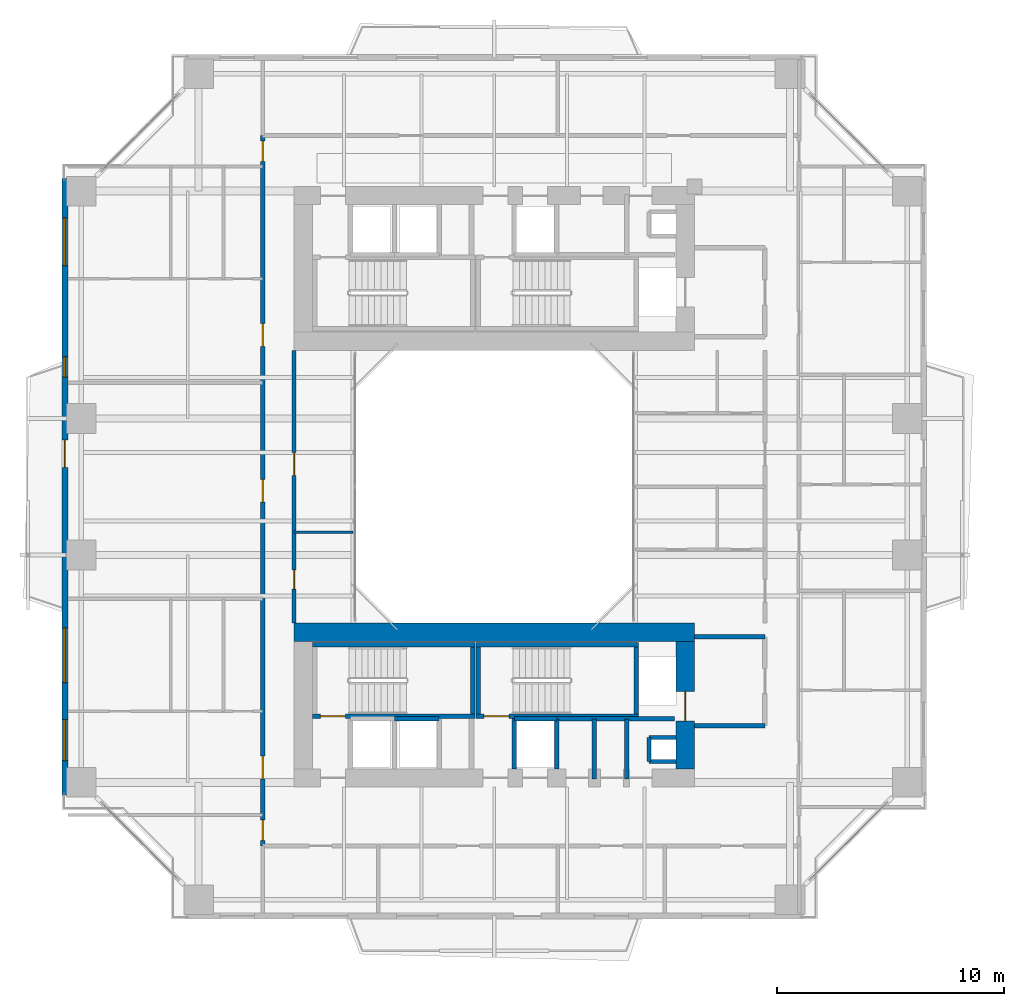
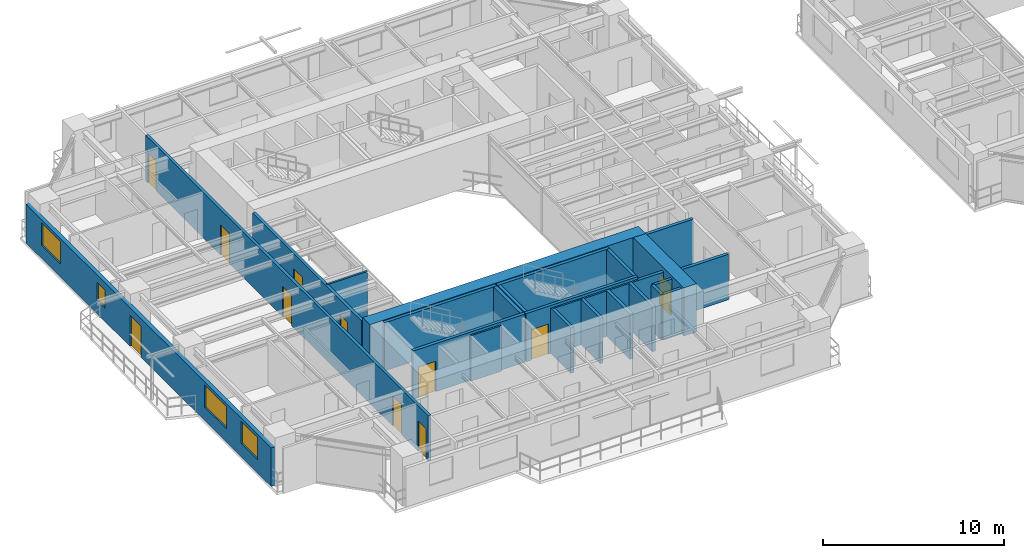
# One storey, part 13 of 24: 25 walls, 11 doors, 4 windows, 15 openings.
"""IFC4 building model written with IfcOpenShell, lengths in metres."""

from ifc_helpers import new_model, si_unit, direction, frame, frame_2d, origin, place, context, subcontext, project, spatial, rectangle, extrude, source, transform, mapped, material, layer, layer_set, type_object, element, fill, save


model = new_model("IFC4")

# Units and contexts
model_context = context("Model", 3, precision=1e-05, world=origin(), true_north=direction((0.0, 1.0)))
body_context = subcontext(model_context, "Body", "Model", "MODEL_VIEW")
ifc_project = project(units=[si_unit("LENGTHUNIT", "METRE"), si_unit("AREAUNIT", "SQUARE_METRE"), si_unit("VOLUMEUNIT", "CUBIC_METRE"), si_unit("PLANEANGLEUNIT", "RADIAN"), si_unit("MASSUNIT", "GRAM", prefix="KILO"), si_unit("THERMODYNAMICTEMPERATUREUNIT", "KELVIN"), si_unit("POWERUNIT", "WATT")], contexts=[model_context])

# Site, building, storey
site_placement = place(None, origin())
site = spatial("IfcSite", under=ifc_project, at=site_placement, CompositionType="ELEMENT")
building_placement = place(site_placement, origin())
building = spatial("IfcBuilding", under=site, at=building_placement, Name="Qiaomeng Ring Towers", CompositionType="ELEMENT")
storey_placement = place(building_placement, frame((0.0, 0.0, 56.75)))
storey = spatial("IfcBuildingStorey", under=building, at=storey_placement, Name="L15", CompositionType="ELEMENT", Elevation=56.75)

# Wall, openings, windows, door
ifc_material_1 = material(Name="Precast concrete C40", Category="concrete")
ifc_layer_1 = layer(ifc_material_1, 0.25, Name="Precast concrete C40")
ifc_layer_set_1 = layer_set([ifc_layer_1], Name="Precast concrete C40")
wall_type_1 = type_object("IfcWallType", Name="ARC-WL-EW1", PredefinedType="STANDARD", material=ifc_layer_set_1)
wall_1_placement = place(storey_placement, frame((0.125, 9.449951171875, 0.0), z_axis=(0.0, 0.0, 1.0), x_axis=(0.0, 1.0, 0.0)))
wall_1 = element("IfcWall", 1, at=wall_1_placement, inside=storey, type_object=wall_type_1, Name="L15 Tower 1 W Exterior Wall", PredefinedType="STANDARD", context=body_context, shape_type="SweptSolid", body=[
    extrude(rectangle(XDim=27.10009765625, YDim=0.25, at=frame_2d((13.550048828125, 0.0))), origin(), (0.0, 0.0, 1.0), 2.610107421875),
])
opening_1_placement = place(wall_1_placement, frame((14.39990234375, 0.0, 0.0)))
opening_1 = element("IfcOpeningElement", 2, at=opening_1_placement, cuts=wall_1, Name="Opening BD1", PredefinedType="OPENING", context=body_context, shape_type="SweptSolid", body=[
    extrude(rectangle(XDim=1.199951171875, YDim=2.10009765625, at=frame_2d((0.60009765625, 1.050048828125))), frame((0.0, 0.135009765625, 0.0), z_axis=(0.0, -1.0, 0.0), x_axis=(1.0, 0.0, 0.0)), (0.0, 0.0, 1.0), 0.27001953125),
])
opening_2_placement = place(wall_1_placement, frame((1.512451171875, 0.0, 0.89990234375)))
opening_2 = element("IfcOpeningElement", 3, at=opening_2_placement, cuts=wall_1, Name="Opening WN1", PredefinedType="OPENING", context=body_context, shape_type="SweptSolid", body=[
    extrude(rectangle(XDim=1.800048828125, YDim=1.5, at=frame_2d((0.89990234375, 0.75))), frame((0.0, 0.135009765625, 0.0), z_axis=(0.0, -1.0, 0.0), x_axis=(1.0, 0.0, 0.0)), (0.0, 0.0, 1.0), 0.27001953125),
])
opening_3_placement = place(wall_1_placement, frame((23.2724609375, 0.0, 0.89990234375)))
opening_3 = element("IfcOpeningElement", 4, at=opening_3_placement, cuts=wall_1, Name="Opening WN4", PredefinedType="OPENING", context=body_context, shape_type="SweptSolid", body=[
    extrude(rectangle(XDim=2.10009765625, YDim=1.5, at=frame_2d((1.050048828125, 0.75))), frame((0.0, 0.135009765625, 0.0), z_axis=(0.0, -1.0, 0.0), x_axis=(1.0, 0.0, 0.0)), (0.0, 0.0, 1.0), 0.27001953125),
])
opening_4_placement = place(wall_1_placement, frame((4.9423828125, 0.0, 0.89990234375)))
opening_4 = element("IfcOpeningElement", 5, at=opening_4_placement, cuts=wall_1, Name="Opening WN6", PredefinedType="OPENING", context=body_context, shape_type="SweptSolid", body=[
    extrude(rectangle(XDim=2.39990234375, YDim=1.5, at=frame_2d((1.199951171875, 0.75))), frame((0.0, 0.135009765625, 0.0), z_axis=(0.0, -1.0, 0.0), x_axis=(1.0, 0.0, 0.0)), (0.0, 0.0, 1.0), 0.27001953125),
])
opening_5_placement = place(wall_1_placement, frame((18.364990234375, 0.0, 0.89990234375)))
opening_5 = element("IfcOpeningElement", 6, at=opening_5_placement, cuts=wall_1, Name="Opening WN5", PredefinedType="OPENING", context=body_context, shape_type="SweptSolid", body=[
    extrude(rectangle(XDim=0.89990234375, YDim=1.199951171875, at=frame_2d((0.449951171875, 0.60009765625))), frame((0.0, 0.135009765625, 0.0), z_axis=(0.0, -1.0, 0.0), x_axis=(1.0, 0.0, 0.0)), (0.0, 0.0, 1.0), 0.27001953125),
])
ifc_material_2 = material(Name="Low-E dark-grey laminated double glazing", Category="glass")
window_type_1 = type_object("IfcWindowType", Name="ARC-WN-4", PartitioningType="TRIPLE_PANEL_VERTICAL", PredefinedType="WINDOW", material=ifc_material_2)
shared_shape_1 = source(origin(), body_context, "Body", "SweptSolid", [
    extrude(rectangle(XDim=2.10009765625, YDim=1.5, at=frame_2d((1.050048828125, 0.75))), frame((0.0, 0.030029296875, 0.0), z_axis=(0.0, -1.0, 0.0), x_axis=(1.0, 0.0, 0.0)), (0.0, 0.0, 1.0), 0.06005859375),
])
window_1_placement = place(opening_3_placement, origin())
window_1 = element("IfcWindow", 7, at=window_1_placement, inside=storey, type_object=window_type_1, Name="L15 Exterior Window WN4", OverallHeight=1.5, OverallWidth=2.10009765625, PartitioningType="TRIPLE_PANEL_VERTICAL", PredefinedType="WINDOW", context=body_context, shape_type="MappedRepresentation", body=[
    mapped(shared_shape_1, transform((0.0, 0.0, 0.0), x_axis=(1.0, 0.0, 0.0), y_axis=(0.0, 1.0, 0.0), z_axis=(0.0, 0.0, 1.0), scale=1.0)),
])
fill(opening_3, window_1)
door_type_1 = type_object("IfcDoorType", Name="ARC-DR-BD1", OperationType="NOTDEFINED", PredefinedType="DOOR", material=ifc_material_2)
shared_shape_2 = source(origin(), body_context, "Body", "SweptSolid", [
    extrude(rectangle(XDim=1.199951171875, YDim=2.10009765625, at=frame_2d((0.60009765625, 1.050048828125))), frame((0.0, 0.02490234375, 0.0), z_axis=(0.0, -1.0, 0.0), x_axis=(1.0, 0.0, 0.0)), (0.0, 0.0, 1.0), 0.050048828125),
])
door_1_placement = place(opening_1_placement, frame((1.199951171875, 0.0, 0.0), z_axis=(0.0, 0.0, 1.0), x_axis=(-1.0, 0.0, 0.0)))
door_1 = element("IfcDoor", 8, at=door_1_placement, inside=storey, type_object=door_type_1, Name="L15 W Balcony Glazed Door", OperationType="SINGLE_SWING_LEFT", OverallHeight=2.10009765625, OverallWidth=1.199951171875, PredefinedType="DOOR", context=body_context, shape_type="MappedRepresentation", body=[
    mapped(shared_shape_2, transform((0.0, 0.0, 0.0), x_axis=(1.0, 0.0, 0.0), y_axis=(0.0, 1.0, 0.0), z_axis=(0.0, 0.0, 1.0), scale=1.0)),
])
fill(opening_1, door_1)
window_type_2 = type_object("IfcWindowType", Name="ARC-WN-6", PartitioningType="TRIPLE_PANEL_VERTICAL", PredefinedType="WINDOW", material=ifc_material_2)
shared_shape_3 = source(origin(), body_context, "Body", "SweptSolid", [
    extrude(rectangle(XDim=2.39990234375, YDim=1.5, at=frame_2d((1.199951171875, 0.75))), frame((0.0, 0.030029296875, 0.0), z_axis=(0.0, -1.0, 0.0), x_axis=(1.0, 0.0, 0.0)), (0.0, 0.0, 1.0), 0.06005859375),
])
window_2_placement = place(opening_4_placement, origin())
window_2 = element("IfcWindow", 9, at=window_2_placement, inside=storey, type_object=window_type_2, Name="L15 Exterior Window WN6", OverallHeight=1.5, OverallWidth=2.39990234375, PartitioningType="TRIPLE_PANEL_VERTICAL", PredefinedType="WINDOW", context=body_context, shape_type="MappedRepresentation", body=[
    mapped(shared_shape_3, transform((0.0, 0.0, 0.0), x_axis=(1.0, 0.0, 0.0), y_axis=(0.0, 1.0, 0.0), z_axis=(0.0, 0.0, 1.0), scale=1.0)),
])
fill(opening_4, window_2)
window_type_3 = type_object("IfcWindowType", Name="ARC-WN-1", PartitioningType="DOUBLE_PANEL_VERTICAL", PredefinedType="WINDOW", material=ifc_material_2)
shared_shape_4 = source(origin(), body_context, "Body", "SweptSolid", [
    extrude(rectangle(XDim=1.800048828125, YDim=1.5, at=frame_2d((0.89990234375, 0.75))), frame((0.0, 0.030029296875, 0.0), z_axis=(0.0, -1.0, 0.0), x_axis=(1.0, 0.0, 0.0)), (0.0, 0.0, 1.0), 0.06005859375),
])
window_3_placement = place(opening_2_placement, origin())
window_3 = element("IfcWindow", 10, at=window_3_placement, inside=storey, type_object=window_type_3, Name="L15 Exterior Window WN6", OverallHeight=1.5, OverallWidth=1.800048828125, PartitioningType="TRIPLE_PANEL_VERTICAL", PredefinedType="WINDOW", context=body_context, shape_type="MappedRepresentation", body=[
    mapped(shared_shape_4, transform((0.0, 0.0, 0.0), x_axis=(1.0, 0.0, 0.0), y_axis=(0.0, 1.0, 0.0), z_axis=(0.0, 0.0, 1.0), scale=1.0)),
])
fill(opening_2, window_3)
window_type_4 = type_object("IfcWindowType", Name="ARC-WN-5", PartitioningType="SINGLE_PANEL", PredefinedType="WINDOW", material=ifc_material_2)
shared_shape_5 = source(origin(), body_context, "Body", "SweptSolid", [
    extrude(rectangle(XDim=0.89990234375, YDim=1.199951171875, at=frame_2d((0.449951171875, 0.60009765625))), frame((0.0, 0.030029296875, 0.0), z_axis=(0.0, -1.0, 0.0), x_axis=(1.0, 0.0, 0.0)), (0.0, 0.0, 1.0), 0.06005859375),
])
window_4_placement = place(opening_5_placement, origin())
window_4 = element("IfcWindow", 11, at=window_4_placement, inside=storey, type_object=window_type_4, Name="L15 Exterior Window WN5", OverallHeight=1.199951171875, OverallWidth=0.89990234375, PartitioningType="SINGLE_PANEL", PredefinedType="WINDOW", context=body_context, shape_type="MappedRepresentation", body=[
    mapped(shared_shape_5, transform((0.0, 0.0, 0.0), x_axis=(1.0, 0.0, 0.0), y_axis=(0.0, 1.0, 0.0), z_axis=(0.0, 0.0, 1.0), scale=1.0)),
])
fill(opening_5, window_4)

# Walls
ifc_material_3 = material(Name="Autoclaved aerated concrete block", Category="concrete")
ifc_layer_2 = layer(ifc_material_3, 0.199951171875, Name="Autoclaved aerated concrete block")
ifc_layer_set_2 = layer_set([ifc_layer_2], Name="Autoclaved aerated concrete block")
wall_type_2 = type_object("IfcWallType", Name="ARC-WL-PW1", PredefinedType="PARTITIONING", material=ifc_layer_set_2)
for number, where, z_axis, x_axis, name in (
    (12, (27.800048828125, 16.39990234375, 0.0), (0.0, 0.0, 1.0), (1.0, 0.0, 0.0), "L15 Interior Wall PW1"),
    (13, (27.800048828125, 12.5, 0.0), (0.0, 0.0, 1.0), (1.0, 0.0, 0.0), "L15 Interior Wall PW1"),
):
    element("IfcWall", number, at=place(storey_placement, frame(where, z_axis=z_axis, x_axis=x_axis)), inside=storey, type_object=wall_type_2, Name=name, PredefinedType="PARTITIONING", context=body_context, shape_type="SweptSolid", body=[
        extrude(rectangle(XDim=3.099853515625, YDim=0.199951171875, at=frame_2d((1.5498046875, 0.0))), origin(), (0.0, 0.0, 1.0), 3.070068359375),
    ])
wall_2_placement = place(storey_placement, frame((19.8798828125, 10.60009765625, 0.0), z_axis=(0.0, 0.0, 1.0), x_axis=(0.0, 1.0, 0.0)))
element("IfcWall", 14, at=wall_2_placement, inside=storey, type_object=wall_type_2, Name="L15 Interior Wall PW1", PredefinedType="PARTITIONING", context=body_context, shape_type="SweptSolid", body=[
    extrude(rectangle(XDim=2.2099609375, YDim=0.199951171875, at=frame_2d((1.10498046875, 0.0))), origin(), (0.0, 0.0, 1.0), 3.070068359375),
])
wall_3_placement = place(storey_placement, frame((24.820068359375, 10.14990234375, 0.0), z_axis=(0.0, 0.0, 1.0), x_axis=(0.0, 1.0, 0.0)))
element("IfcWall", 15, at=wall_3_placement, inside=storey, type_object=wall_type_2, Name="L15 Interior Wall PW1", PredefinedType="PARTITIONING", context=body_context, shape_type="SweptSolid", body=[
    extrude(rectangle(XDim=2.650146484375, YDim=0.199951171875, at=frame_2d((1.3251953125, 0.0))), origin(), (0.0, 0.0, 1.0), 3.070068359375),
])
wall_4_placement = place(storey_placement, frame((21.75, 10.60009765625, 0.0), z_axis=(0.0, 0.0, 1.0), x_axis=(0.0, 1.0, 0.0)))
element("IfcWall", 16, at=wall_4_placement, inside=storey, type_object=wall_type_2, Name="L15 Interior Wall PW1", PredefinedType="PARTITIONING", context=body_context, shape_type="SweptSolid", body=[
    extrude(rectangle(XDim=2.199951171875, YDim=0.199951171875, at=frame_2d((1.10009765625, 0.0))), origin(), (0.0, 0.0, 1.0), 3.070068359375),
])
wall_5_placement = place(storey_placement, frame((23.389892578125, 10.14990234375, 0.0), z_axis=(0.0, 0.0, 1.0), x_axis=(0.0, 1.0, 0.0)))
element("IfcWall", 17, at=wall_5_placement, inside=storey, type_object=wall_type_2, Name="L15 Interior Wall PW1", PredefinedType="PARTITIONING", context=body_context, shape_type="SweptSolid", body=[
    extrude(rectangle(XDim=2.650146484375, YDim=0.199951171875, at=frame_2d((1.3251953125, 0.0))), origin(), (0.0, 0.0, 1.0), 3.070068359375),
])
wall_6_placement = place(storey_placement, frame((21.75, 12.800048828125, 0.0), z_axis=(0.0, 0.0, 1.0), x_axis=(1.0, 0.0, 0.0)))
element("IfcWall", 18, at=wall_6_placement, inside=storey, type_object=wall_type_2, Name="L15 Interior Wall PW1", PredefinedType="PARTITIONING", context=body_context, shape_type="SweptSolid", body=[
    extrude(rectangle(XDim=5.169921875, YDim=0.199951171875, at=frame_2d((2.5849609375, 0.0))), origin(), (0.0, 0.0, 1.0), 3.070068359375),
])

# Wall, openings, doors
ifc_layer_3 = layer(ifc_material_3, 0.179931640625, Name="Autoclaved aerated concrete block")
ifc_layer_set_3 = layer_set([ifc_layer_3], Name="Autoclaved aerated concrete block")
wall_type_3 = type_object("IfcWallType", Name="ARC-WL-PW2", PredefinedType="PARTITIONING", material=ifc_layer_set_3)
wall_7_placement = place(storey_placement, frame((8.820068359375, 7.2099609375, 0.0), z_axis=(0.0, 0.0, 1.0), x_axis=(0.0, 1.0, 0.0)))
wall_7 = element("IfcWall", 19, at=wall_7_placement, inside=storey, type_object=wall_type_3, Name="L15 Interior Wall PW2", PredefinedType="PARTITIONING", context=body_context, shape_type="SweptSolid", body=[
    extrude(rectangle(XDim=31.22998046875, YDim=0.179931640625, at=frame_2d((15.614990234375, 0.0))), origin(), (0.0, 0.0, 1.0), 3.070068359375),
])
opening_6_placement = place(wall_7_placement, frame((30.090087890625, 0.0, 0.0)))
opening_6 = element("IfcOpeningElement", 20, at=opening_6_placement, cuts=wall_7, Name="Opening ID1", PredefinedType="OPENING", context=body_context, shape_type="SweptSolid", body=[
    extrude(rectangle(XDim=0.89990234375, YDim=2.050048828125, at=frame_2d((0.449951171875, 1.02490234375))), frame((0.0, 0.099853515625, 0.0), z_axis=(0.0, -1.0, 0.0), x_axis=(1.0, 0.0, 0.0)), (0.0, 0.0, 1.0), 0.199951171875),
])
opening_7_placement = place(wall_7_placement, frame((0.239990234375, 0.0, 0.0)))
opening_7 = element("IfcOpeningElement", 21, at=opening_7_placement, cuts=wall_7, Name="Opening ID1", PredefinedType="OPENING", context=body_context, shape_type="SweptSolid", body=[
    extrude(rectangle(XDim=0.89990234375, YDim=2.050048828125, at=frame_2d((0.449951171875, 1.02490234375))), frame((0.0, 0.099853515625, 0.0), z_axis=(0.0, -1.0, 0.0), x_axis=(1.0, 0.0, 0.0)), (0.0, 0.0, 1.0), 0.199951171875),
])
opening_8_placement = place(wall_7_placement, frame((2.949951171875, 0.0, 0.0)))
opening_8 = element("IfcOpeningElement", 22, at=opening_8_placement, cuts=wall_7, Name="Opening FD4", PredefinedType="OPENING", context=body_context, shape_type="SweptSolid", body=[
    extrude(rectangle(XDim=1.0, YDim=2.050048828125, at=frame_2d((0.5, 1.02490234375))), frame((0.0, 0.099853515625, 0.0), z_axis=(0.0, -1.0, 0.0), x_axis=(1.0, 0.0, 0.0)), (0.0, 0.0, 1.0), 0.199951171875),
])
opening_9_placement = place(wall_7_placement, frame((15.114990234375, 0.0, 0.0)))
opening_9 = element("IfcOpeningElement", 23, at=opening_9_placement, cuts=wall_7, Name="Opening FD4", PredefinedType="OPENING", context=body_context, shape_type="SweptSolid", body=[
    extrude(rectangle(XDim=1.0, YDim=2.050048828125, at=frame_2d((0.5, 1.02490234375))), frame((0.0, 0.099853515625, 0.0), z_axis=(0.0, -1.0, 0.0), x_axis=(1.0, 0.0, 0.0)), (0.0, 0.0, 1.0), 0.199951171875),
])
opening_10_placement = place(wall_7_placement, frame((21.9599609375, 0.0, 0.0)))
opening_10 = element("IfcOpeningElement", 24, at=opening_10_placement, cuts=wall_7, Name="Opening FD4", PredefinedType="OPENING", context=body_context, shape_type="SweptSolid", body=[
    extrude(rectangle(XDim=1.0, YDim=2.050048828125, at=frame_2d((0.5, 1.02490234375))), frame((0.0, 0.099853515625, 0.0), z_axis=(0.0, -1.0, 0.0), x_axis=(1.0, 0.0, 0.0)), (0.0, 0.0, 1.0), 0.199951171875),
])
ifc_material_4 = material(Name="Engineered fire-rated oak timber", Category="wood")
door_type_2 = type_object("IfcDoorType", Name="ARC-DR-FD4", OperationType="NOTDEFINED", PredefinedType="DOOR", material=ifc_material_4)
shared_shape_6 = source(origin(), body_context, "Body", "SweptSolid", [
    extrude(rectangle(XDim=1.0, YDim=2.050048828125, at=frame_2d((0.5, 1.02490234375))), frame((0.0, 0.02490234375, 0.0), z_axis=(0.0, -1.0, 0.0), x_axis=(1.0, 0.0, 0.0)), (0.0, 0.0, 1.0), 0.050048828125),
])
door_2_placement = place(opening_8_placement, origin())
door_2 = element("IfcDoor", 25, at=door_2_placement, inside=storey, type_object=door_type_2, Name="L15 Door FD4", OperationType="SINGLE_SWING_LEFT", OverallHeight=2.050048828125, OverallWidth=1.0, PredefinedType="DOOR", context=body_context, shape_type="MappedRepresentation", body=[
    mapped(shared_shape_6, transform((0.0, 0.0, 0.0), x_axis=(1.0, 0.0, 0.0), y_axis=(0.0, 1.0, 0.0), z_axis=(0.0, 0.0, 1.0), scale=1.0)),
])
fill(opening_8, door_2)
door_3_placement = place(opening_9_placement, origin())
door_3 = element("IfcDoor", 26, at=door_3_placement, inside=storey, type_object=door_type_2, Name="L15 Door FD4", OperationType="SINGLE_SWING_RIGHT", OverallHeight=2.050048828125, OverallWidth=1.0, PredefinedType="DOOR", context=body_context, shape_type="MappedRepresentation", body=[
    mapped(shared_shape_6, transform((0.0, 0.0, 0.0), x_axis=(1.0, 0.0, 0.0), y_axis=(0.0, 1.0, 0.0), z_axis=(0.0, 0.0, 1.0), scale=1.0)),
])
fill(opening_9, door_3)
door_4_placement = place(opening_10_placement, origin())
door_4 = element("IfcDoor", 27, at=door_4_placement, inside=storey, type_object=door_type_2, Name="L15 Door FD4", OperationType="SINGLE_SWING_RIGHT", OverallHeight=2.050048828125, OverallWidth=1.0, PredefinedType="DOOR", context=body_context, shape_type="MappedRepresentation", body=[
    mapped(shared_shape_6, transform((0.0, 0.0, 0.0), x_axis=(1.0, 0.0, 0.0), y_axis=(0.0, 1.0, 0.0), z_axis=(0.0, 0.0, 1.0), scale=1.0)),
])
fill(opening_10, door_4)
ifc_material_5 = material(Name="Engineered oak timber", Category="wood")
door_type_3 = type_object("IfcDoorType", Name="ARC-DR-ID1", OperationType="NOTDEFINED", PredefinedType="DOOR", material=ifc_material_5)
shared_shape_7 = source(origin(), body_context, "Body", "SweptSolid", [
    extrude(rectangle(XDim=0.89990234375, YDim=2.050048828125, at=frame_2d((0.449951171875, 1.02490234375))), frame((0.0, 0.02490234375, 0.0), z_axis=(0.0, -1.0, 0.0), x_axis=(1.0, 0.0, 0.0)), (0.0, 0.0, 1.0), 0.050048828125),
])
door_5_placement = place(opening_6_placement, origin())
door_5 = element("IfcDoor", 28, at=door_5_placement, inside=storey, type_object=door_type_3, Name="L15 Door ID1", OperationType="SINGLE_SWING_RIGHT", OverallHeight=2.050048828125, OverallWidth=0.89990234375, PredefinedType="DOOR", context=body_context, shape_type="MappedRepresentation", body=[
    mapped(shared_shape_7, transform((0.0, 0.0, 0.0), x_axis=(1.0, 0.0, 0.0), y_axis=(0.0, 1.0, 0.0), z_axis=(0.0, 0.0, 1.0), scale=1.0)),
])
fill(opening_6, door_5)
door_6_placement = place(opening_7_placement, origin())
door_6 = element("IfcDoor", 29, at=door_6_placement, inside=storey, type_object=door_type_3, Name="L15 Door ID1", OperationType="SINGLE_SWING_LEFT", OverallHeight=2.050048828125, OverallWidth=0.89990234375, PredefinedType="DOOR", context=body_context, shape_type="MappedRepresentation", body=[
    mapped(shared_shape_7, transform((0.0, 0.0, 0.0), x_axis=(1.0, 0.0, 0.0), y_axis=(0.0, 1.0, 0.0), z_axis=(0.0, 0.0, 1.0), scale=1.0)),
])
fill(opening_7, door_6)

wall_8_placement = place(storey_placement, frame((10.199951171875, 17.0, 0.0), z_axis=(0.0, 0.0, 1.0), x_axis=(0.0, 1.0, 0.0)))
wall_8 = element("IfcWall", 30, at=wall_8_placement, inside=storey, type_object=wall_type_3, Name="L15 Interior Wall PW2", PredefinedType="PARTITIONING", context=body_context, shape_type="SweptSolid", body=[
    extrude(rectangle(XDim=12.0, YDim=0.179931640625, at=frame_2d((6.0, 0.0))), origin(), (0.0, 0.0, 1.0), 3.070068359375),
])
opening_11_placement = place(wall_8_placement, frame((1.5, 0.0, 0.0)))
opening_11 = element("IfcOpeningElement", 31, at=opening_11_placement, cuts=wall_8, Name="Opening ID2", PredefinedType="OPENING", context=body_context, shape_type="SweptSolid", body=[
    extrude(rectangle(XDim=0.85009765625, YDim=2.050048828125, at=frame_2d((0.425048828125, 1.02490234375))), frame((0.0, 0.099853515625, 0.0), z_axis=(0.0, -1.0, 0.0), x_axis=(1.0, 0.0, 0.0)), (0.0, 0.0, 1.0), 0.199951171875),
])
opening_12_placement = place(wall_8_placement, frame((6.5, 0.0, 0.0)))
opening_12 = element("IfcOpeningElement", 32, at=opening_12_placement, cuts=wall_8, Name="Opening FD4", PredefinedType="OPENING", context=body_context, shape_type="SweptSolid", body=[
    extrude(rectangle(XDim=1.0, YDim=2.050048828125, at=frame_2d((0.5, 1.02490234375))), frame((0.0, 0.099853515625, 0.0), z_axis=(0.0, -1.0, 0.0), x_axis=(1.0, 0.0, 0.0)), (0.0, 0.0, 1.0), 0.199951171875),
])
door_7_placement = place(opening_12_placement, origin())
door_7 = element("IfcDoor", 33, at=door_7_placement, inside=storey, type_object=door_type_2, Name="L15 Door FD4", OperationType="SINGLE_SWING_RIGHT", OverallHeight=2.050048828125, OverallWidth=1.0, PredefinedType="DOOR", context=body_context, shape_type="MappedRepresentation", body=[
    mapped(shared_shape_6, transform((0.0, 0.0, 0.0), x_axis=(1.0, 0.0, 0.0), y_axis=(0.0, 1.0, 0.0), z_axis=(0.0, 0.0, 1.0), scale=1.0)),
])
fill(opening_12, door_7)
ifc_material_6 = material(Name="Moisture-resistant engineered timber", Category="wood")
door_type_4 = type_object("IfcDoorType", Name="ARC-DR-ID2", OperationType="NOTDEFINED", PredefinedType="DOOR", material=ifc_material_6)
shared_shape_8 = source(origin(), body_context, "Body", "SweptSolid", [
    extrude(rectangle(XDim=0.85009765625, YDim=2.050048828125, at=frame_2d((0.425048828125, 1.02490234375))), frame((0.0, 0.02490234375, 0.0), z_axis=(0.0, -1.0, 0.0), x_axis=(1.0, 0.0, 0.0)), (0.0, 0.0, 1.0), 0.050048828125),
])
door_8_placement = place(opening_11_placement, origin())
door_8 = element("IfcDoor", 34, at=door_8_placement, inside=storey, type_object=door_type_4, Name="L15 Door ID2", OperationType="SINGLE_SWING_LEFT", OverallHeight=2.050048828125, OverallWidth=0.85009765625, PredefinedType="DOOR", context=body_context, shape_type="MappedRepresentation", body=[
    mapped(shared_shape_8, transform((0.0, 0.0, 0.0), x_axis=(1.0, 0.0, 0.0), y_axis=(0.0, 1.0, 0.0), z_axis=(0.0, 0.0, 1.0), scale=1.0)),
])
fill(opening_11, door_8)

# Walls
ifc_material_7 = material(Name="Moisture-resistant gypsum steel-stud partition", Category="steel")
ifc_layer_4 = layer(ifc_material_7, 0.1201171875, Name="Moisture-resistant gypsum steel-stud partition")
ifc_layer_set_4 = layer_set([ifc_layer_4], Name="Moisture-resistant gypsum steel-stud partition")
wall_type_4 = type_object("IfcWallType", Name="ARC-WL-PW4", PredefinedType="PLUMBINGWALL", material=ifc_layer_set_4)
wall_9_placement = place(storey_placement, frame((10.199951171875, 21.0, 0.0), z_axis=(0.0, 0.0, 1.0), x_axis=(1.0, 0.0, 0.0)))
element("IfcWall", 35, at=wall_9_placement, inside=storey, type_object=wall_type_4, Name="L15 Interior Wall PW4", PredefinedType="PLUMBINGWALL", context=body_context, shape_type="SweptSolid", body=[
    extrude(rectangle(XDim=2.580078125, YDim=0.1201171875, at=frame_2d((1.2900390625, 0.0))), origin(), (0.0, 0.0, 1.0), 3.070068359375),
])
ifc_material_8 = material(Name="Concrete C40", Category="concrete")
ifc_layer_5 = layer(ifc_material_8, 0.199951171875, Name="Concrete C40")
ifc_layer_set_5 = layer_set([ifc_layer_5], Name="Concrete C40")
wall_type_5 = type_object("IfcWallType", Name="STR-WL-STSHAFT", PredefinedType="SHEAR", material=ifc_layer_set_5)
wall_10_placement = place(storey_placement, frame((25.800048828125, 10.919921875, 0.0), z_axis=(0.0, 0.0, 1.0), x_axis=(0.0, 1.0, 0.0)))
element("IfcWall", 36, at=wall_10_placement, inside=storey, type_object=wall_type_5, Name="L15 Riser RSR1 West Shaft Wall S", PredefinedType="SHEAR", context=body_context, shape_type="SweptSolid", body=[
    extrude(rectangle(XDim=1.06005859375, YDim=0.179931640625, at=frame_2d((0.530029296875, 0.0))), origin(), (0.0, 0.0, 1.0), 3.070068359375),
])
for number, where, z_axis, x_axis, name in (
    (37, (25.800048828125, 11.97998046875, 0.0), (0.0, 0.0, 1.0), (1.0, 0.0, 0.0), "L15 Riser RSR1 North Shaft Wall S"),
    (38, (25.800048828125, 10.919921875, 0.0), (0.0, 0.0, 1.0), (1.0, 0.0, 0.0), "L15 Riser RSR1 South Shaft Wall S"),
):
    element("IfcWall", number, at=place(storey_placement, frame(where, z_axis=z_axis, x_axis=x_axis)), inside=storey, type_object=wall_type_5, Name=name, PredefinedType="SHEAR", context=body_context, shape_type="SweptSolid", body=[
        extrude(rectangle(XDim=1.199951171875, YDim=0.179931640625, at=frame_2d((0.60009765625, 0.0))), origin(), (0.0, 0.0, 1.0), 3.070068359375),
    ])
wall_11_placement = place(storey_placement, frame((14.6201171875, 12.800048828125, 0.0), z_axis=(0.0, 0.0, 1.0), x_axis=(1.0, 0.0, 0.0)))
element("IfcWall", 39, at=wall_11_placement, inside=storey, type_object=wall_type_5, Name="L15 Lift LP4 Shaft Back Wall", PredefinedType="SHEAR", context=body_context, shape_type="SweptSolid", body=[
    extrude(rectangle(XDim=1.9599609375, YDim=0.179931640625, at=frame_2d((0.97998046875, 0.0))), origin(), (0.0, 0.0, 1.0), 3.070068359375),
])
wall_12_placement = place(storey_placement, frame((19.8798828125, 12.800048828125, 0.0), z_axis=(0.0, 0.0, 1.0), x_axis=(1.0, 0.0, 0.0)))
element("IfcWall", 40, at=wall_12_placement, inside=storey, type_object=wall_type_5, Name="L15 Lift LP2 Shaft Back Wall", PredefinedType="SHEAR", context=body_context, shape_type="SweptSolid", body=[
    extrude(rectangle(XDim=1.8701171875, YDim=0.179931640625, at=frame_2d((0.93505859375, 0.0))), origin(), (0.0, 0.0, 1.0), 3.070068359375),
])

# Wall, opening, door
wall_13_placement = place(storey_placement, frame((11.0, 12.909912109375, 0.0), z_axis=(0.0, 0.0, 1.0), x_axis=(1.0, 0.0, 0.0)))
wall_13 = element("IfcWall", 41, at=wall_13_placement, inside=storey, type_object=wall_type_5, Name="L15 Stair ST3 South Shaft Shear Wall", PredefinedType="SHEAR", context=body_context, shape_type="SweptSolid", body=[
    extrude(rectangle(XDim=7.14990234375, YDim=0.199951171875, at=frame_2d((3.574951171875, 0.0))), origin(), (0.0, 0.0, 1.0), 3.25),
])
opening_13_placement = place(wall_13_placement, frame((0.35009765625, 0.0, 0.0)))
opening_13 = element("IfcOpeningElement", 42, at=opening_13_placement, cuts=wall_13, Name="Opening FD3", PredefinedType="OPENING", context=body_context, shape_type="SweptSolid", body=[
    extrude(rectangle(XDim=1.10009765625, YDim=2.050048828125, at=frame_2d((0.550048828125, 1.02490234375))), frame((0.0, 0.10986328125, 0.0), z_axis=(0.0, -1.0, 0.0), x_axis=(1.0, 0.0, 0.0)), (0.0, 0.0, 1.0), 0.219970703125),
])
ifc_material_9 = material(Name="Galvanised steel", Category="steel")
door_type_5 = type_object("IfcDoorType", Name="ARC-DR-FD3", OperationType="NOTDEFINED", PredefinedType="DOOR", material=ifc_material_9)
shared_shape_9 = source(origin(), body_context, "Body", "SweptSolid", [
    extrude(rectangle(XDim=1.10009765625, YDim=2.050048828125, at=frame_2d((0.550048828125, 1.02490234375))), frame((0.0, 0.02490234375, 0.0), z_axis=(0.0, -1.0, 0.0), x_axis=(1.0, 0.0, 0.0)), (0.0, 0.0, 1.0), 0.050048828125),
])
door_9_placement = place(opening_13_placement, frame((1.10009765625, 0.0, 0.0), z_axis=(0.0, 0.0, 1.0), x_axis=(-1.0, 0.0, 0.0)))
door_9 = element("IfcDoor", 43, at=door_9_placement, inside=storey, type_object=door_type_5, Name="L15 Stair ST3 Exit Door", OperationType="SINGLE_SWING_RIGHT", OverallHeight=2.050048828125, OverallWidth=1.10009765625, PredefinedType="DOOR", context=body_context, shape_type="MappedRepresentation", body=[
    mapped(shared_shape_9, transform((0.0, 0.0, 0.0), x_axis=(1.0, 0.0, 0.0), y_axis=(0.0, 1.0, 0.0), z_axis=(0.0, 0.0, 1.0), scale=1.0)),
])
fill(opening_13, door_9)

# Walls
wall_14_placement = place(storey_placement, frame((11.0, 16.050048828125, 0.0), z_axis=(0.0, 0.0, 1.0), x_axis=(1.0, 0.0, 0.0)))
element("IfcWall", 44, at=wall_14_placement, inside=storey, type_object=wall_type_5, Name="L15 Stair ST3 North Shaft Shear Wall", PredefinedType="SHEAR", context=body_context, shape_type="SweptSolid", body=[
    extrude(rectangle(XDim=7.14990234375, YDim=0.199951171875, at=frame_2d((3.574951171875, 0.0))), origin(), (0.0, 0.0, 1.0), 3.25),
])
wall_15_placement = place(storey_placement, frame((18.050048828125, 13.010009765625, 0.0), z_axis=(0.0, 0.0, 1.0), x_axis=(0.0, 1.0, 0.0)))
element("IfcWall", 45, at=wall_15_placement, inside=storey, type_object=wall_type_5, Name="L15 Stair ST3 East Shaft Shear Wall", PredefinedType="SHEAR", context=body_context, shape_type="SweptSolid", body=[
    extrude(rectangle(XDim=2.93994140625, YDim=0.199951171875, at=frame_2d((1.469970703125, 0.0))), origin(), (0.0, 0.0, 1.0), 3.25),
])

# Wall, opening, door
wall_16_placement = place(storey_placement, frame((18.199951171875, 12.909912109375, 0.0), z_axis=(0.0, 0.0, 1.0), x_axis=(1.0, 0.0, 0.0)))
wall_16 = element("IfcWall", 46, at=wall_16_placement, inside=storey, type_object=wall_type_5, Name="L15 Stair ST4 South Shaft Shear Wall", PredefinedType="SHEAR", context=body_context, shape_type="SweptSolid", body=[
    extrude(rectangle(XDim=7.150146484375, YDim=0.199951171875, at=frame_2d((3.5751953125, 0.0))), origin(), (0.0, 0.0, 1.0), 3.25),
])
opening_14_placement = place(wall_16_placement, frame((0.35009765625, 0.0, 0.0)))
opening_14 = element("IfcOpeningElement", 47, at=opening_14_placement, cuts=wall_16, Name="Opening FD3", PredefinedType="OPENING", context=body_context, shape_type="SweptSolid", body=[
    extrude(rectangle(XDim=1.10009765625, YDim=2.050048828125, at=frame_2d((0.550048828125, 1.02490234375))), frame((0.0, 0.10986328125, 0.0), z_axis=(0.0, -1.0, 0.0), x_axis=(1.0, 0.0, 0.0)), (0.0, 0.0, 1.0), 0.219970703125),
])
door_10_placement = place(opening_14_placement, frame((1.10009765625, 0.0, 0.0), z_axis=(0.0, 0.0, 1.0), x_axis=(-1.0, 0.0, 0.0)))
door_10 = element("IfcDoor", 48, at=door_10_placement, inside=storey, type_object=door_type_5, Name="L15 Stair ST4 Exit Door", OperationType="SINGLE_SWING_RIGHT", OverallHeight=2.050048828125, OverallWidth=1.10009765625, PredefinedType="DOOR", context=body_context, shape_type="MappedRepresentation", body=[
    mapped(shared_shape_9, transform((0.0, 0.0, 0.0), x_axis=(1.0, 0.0, 0.0), y_axis=(0.0, 1.0, 0.0), z_axis=(0.0, 0.0, 1.0), scale=1.0)),
])
fill(opening_14, door_10)

# Walls
wall_17_placement = place(storey_placement, frame((18.199951171875, 16.050048828125, 0.0), z_axis=(0.0, 0.0, 1.0), x_axis=(1.0, 0.0, 0.0)))
element("IfcWall", 49, at=wall_17_placement, inside=storey, type_object=wall_type_5, Name="L15 Stair ST4 North Shaft Shear Wall", PredefinedType="SHEAR", context=body_context, shape_type="SweptSolid", body=[
    extrude(rectangle(XDim=7.150146484375, YDim=0.199951171875, at=frame_2d((3.5751953125, 0.0))), origin(), (0.0, 0.0, 1.0), 3.25),
])
for number, where, z_axis, x_axis, name in (
    (50, (18.300048828125, 13.010009765625, 0.0), (0.0, 0.0, 1.0), (0.0, 1.0, 0.0), "L15 Stair ST4 West Shaft Shear Wall"),
    (51, (25.25, 13.010009765625, 0.0), (0.0, 0.0, 1.0), (0.0, 1.0, 0.0), "L15 Stair ST4 East Shaft Shear Wall"),
):
    element("IfcWall", number, at=place(storey_placement, frame(where, z_axis=z_axis, x_axis=x_axis)), inside=storey, type_object=wall_type_5, Name=name, PredefinedType="SHEAR", context=body_context, shape_type="SweptSolid", body=[
        extrude(rectangle(XDim=2.93994140625, YDim=0.199951171875, at=frame_2d((1.469970703125, 0.0))), origin(), (0.0, 0.0, 1.0), 3.25),
    ])
ifc_material_10 = material(Name="Concrete C60", Category="concrete")
ifc_layer_6 = layer(ifc_material_10, 0.800048828125, Name="Concrete C60")
ifc_layer_set_6 = layer_set([ifc_layer_6], Name="Concrete C60")
wall_type_6 = type_object("IfcWallType", Name="STR-WL-SW1", PredefinedType="SHEAR", material=ifc_layer_set_6)
wall_18_placement = place(storey_placement, frame((10.199951171875, 16.60009765625, 0.0), z_axis=(0.0, 0.0, 1.0), x_axis=(1.0, 0.0, 0.0)))
element("IfcWall", 52, at=wall_18_placement, inside=storey, type_object=wall_type_6, Name="L15 T1SC north core shear wall", PredefinedType="SHEAR", context=body_context, shape_type="SweptSolid", body=[
    extrude(rectangle(XDim=17.60009765625, YDim=0.800048828125, at=frame_2d((8.800048828125, 0.0))), origin(), (0.0, 0.0, 1.0), 3.25),
])

# Wall, opening, door
wall_19_placement = place(storey_placement, frame((27.39990234375, 10.60009765625, 0.0), z_axis=(0.0, 0.0, 1.0), x_axis=(0.0, 1.0, 0.0)))
wall_19 = element("IfcWall", 53, at=wall_19_placement, inside=storey, type_object=wall_type_6, Name="L15 T1SC east core shear wall", PredefinedType="SHEAR", context=body_context, shape_type="SweptSolid", body=[
    extrude(rectangle(XDim=5.599853515625, YDim=0.800048828125, at=frame_2d((2.7998046875, 0.0))), origin(), (0.0, 0.0, 1.0), 3.25),
])
opening_15_placement = place(wall_19_placement, frame((2.10009765625, 0.0, 0.0)))
opening_15 = element("IfcOpeningElement", 54, at=opening_15_placement, cuts=wall_19, Name="Opening LD2", PredefinedType="OPENING", context=body_context, shape_type="SweptSolid", body=[
    extrude(rectangle(XDim=1.300048828125, YDim=2.050048828125, at=frame_2d((0.64990234375, 1.02490234375))), frame((0.0, 0.409912109375, 0.0), z_axis=(0.0, -1.0, 0.0), x_axis=(1.0, 0.0, 0.0)), (0.0, 0.0, 1.0), 0.820068359375),
])
ifc_material_11 = material(Name="Stainless steel 316", Category="steel")
door_type_6 = type_object("IfcDoorType", Name="ARC-DR-LD2", OperationType="NOTDEFINED", PredefinedType="DOOR", material=ifc_material_11)
shared_shape_10 = source(origin(), body_context, "Body", "SweptSolid", [
    extrude(rectangle(XDim=1.300048828125, YDim=2.050048828125, at=frame_2d((0.64990234375, 1.02490234375))), frame((0.0, 0.02490234375, 0.0), z_axis=(0.0, -1.0, 0.0), x_axis=(1.0, 0.0, 0.0)), (0.0, 0.0, 1.0), 0.050048828125),
])
door_11_placement = place(opening_15_placement, origin())
door_11 = element("IfcDoor", 55, at=door_11_placement, inside=storey, type_object=door_type_6, Name="L15 Firefighting Lift FL2 Landing Door", OperationType="SLIDING_TO_RIGHT", OverallHeight=2.050048828125, OverallWidth=1.300048828125, PredefinedType="DOOR", context=body_context, shape_type="MappedRepresentation", body=[
    mapped(shared_shape_10, transform((0.0, 0.0, 0.0), x_axis=(1.0, 0.0, 0.0), y_axis=(0.0, 1.0, 0.0), z_axis=(0.0, 0.0, 1.0), scale=1.0)),
])
fill(opening_15, door_11)

save(model, "model.ifc")
